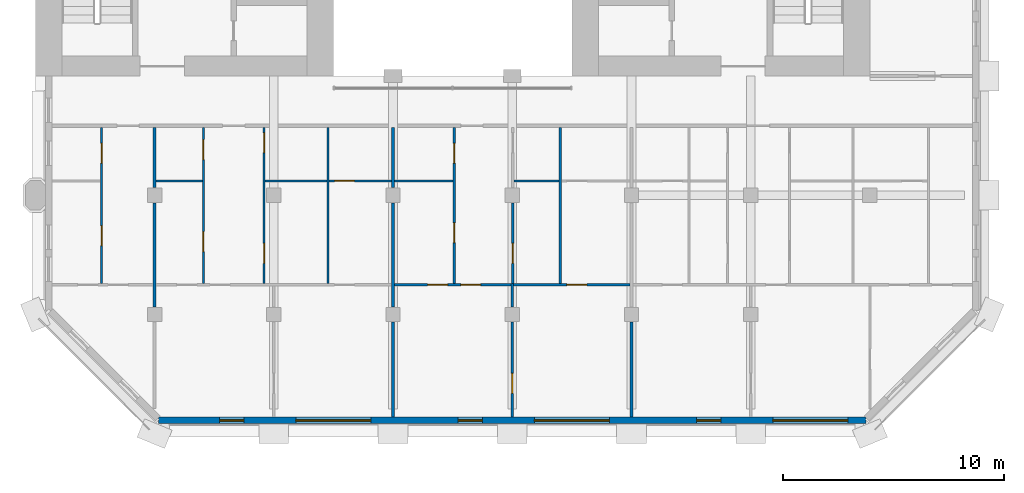
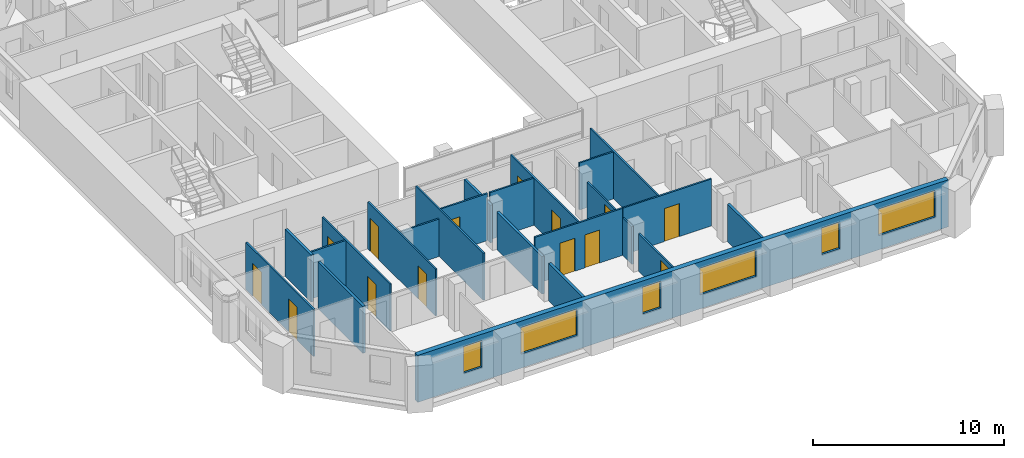
# One storey, part 8 of 16: 23 walls, 14 doors, 6 windows, 20 openings.
"""IFC4 building model written with IfcOpenShell, lengths in metres."""

from ifc_helpers import new_model, si_unit, direction, frame, frame_2d, origin, place, context, subcontext, project, spatial, rectangle, extrude, material, layer, layer_set, type_object, element, fill, save


model = new_model("IFC4")

# Units and contexts
model_context = context("Model", 3, precision=1e-05, world=origin(), true_north=direction((0.0, 1.0)))
body_context = subcontext(model_context, "Body", "Model", "MODEL_VIEW")
ifc_project = project(units=[si_unit("LENGTHUNIT", "METRE"), si_unit("AREAUNIT", "SQUARE_METRE"), si_unit("VOLUMEUNIT", "CUBIC_METRE"), si_unit("PLANEANGLEUNIT", "RADIAN"), si_unit("MASSUNIT", "GRAM", prefix="KILO")], contexts=[model_context])

# Site, building, storey
site_placement = place(None, origin())
site = spatial("IfcSite", under=ifc_project, at=site_placement, CompositionType="ELEMENT")
building_placement = place(site_placement, origin())
building = spatial("IfcBuilding", under=site, at=building_placement, Name="Tabaq Tower and Sports Hall", CompositionType="ELEMENT")
storey_placement = place(building_placement, frame((0.0, 0.0, 268.60009765625)))
storey = spatial("IfcBuildingStorey", under=building, at=storey_placement, Name="L65", CompositionType="ELEMENT", Elevation=268.60009765625)

# Wall, openings, doors
ifc_material_1 = material(Name="Gypsum board on steel studs", Category="steel")
ifc_layer_1 = layer(ifc_material_1, 0.10009765625)
ifc_layer_set_1 = layer_set([ifc_layer_1], Name="Partition 100 Gypsum board")
wall_type_1 = type_object("IfcWallType", Name="Partition 100 Gypsum board", PredefinedType="PARTITIONING", material=ifc_layer_set_1)
wall_1_placement = place(storey_placement, frame((8.39990234375, 6.800048828125, 0.0), z_axis=(0.0, 0.0, 1.0), x_axis=(0.0, 1.0, 0.0)))
wall_1 = element("IfcWall", 1, at=wall_1_placement, inside=storey, type_object=wall_type_1, Name="Partition wall L65", PredefinedType="PARTITIONING", context=body_context, shape_type="SweptSolid", body=[
    extrude(rectangle(XDim=7.074951171875, YDim=0.10009765625, at=frame_2d((3.53759765625, 0.0))), origin(), (0.0, 0.0, 1.0), 3.0),
])
opening_1_placement = place(wall_1_placement, frame((5.449951171875, 0.0, 0.0)))
opening_1 = element("IfcOpeningElement", 2, at=opening_1_placement, cuts=wall_1, Name="Opening L65-014", PredefinedType="OPENING", context=body_context, shape_type="SweptSolid", body=[
    extrude(rectangle(XDim=0.89990234375, YDim=2.10009765625, at=frame_2d((0.449951171875, 1.050048828125))), frame((0.0, 0.050048828125, 0.0), z_axis=(0.0, -1.0, 0.0), x_axis=(1.0, 0.0, 0.0)), (0.0, 0.0, 1.0), 0.10009765625),
])
opening_2_placement = place(wall_1_placement, frame((1.717041015625, 0.0, 0.0)))
opening_2 = element("IfcOpeningElement", 3, at=opening_2_placement, cuts=wall_1, Name="Opening L65-038", PredefinedType="OPENING", context=body_context, shape_type="SweptSolid", body=[
    extrude(rectangle(XDim=0.89990234375, YDim=2.10009765625, at=frame_2d((0.449951171875, 1.050048828125))), frame((0.0, 0.050048828125, 0.0), z_axis=(0.0, -1.0, 0.0), x_axis=(1.0, 0.0, 0.0)), (0.0, 0.0, 1.0), 0.10009765625),
])
ifc_material_2 = material(Name="Timber leaf in steel frame", Category="steel")
door_type_1 = type_object("IfcDoorType", Name="Internal door 900 left hand", OperationType="SINGLE_SWING_LEFT", PredefinedType="DOOR", material=ifc_material_2)
door_1_placement = place(opening_2_placement, origin())
door_1 = element("IfcDoor", 4, at=door_1_placement, inside=storey, type_object=door_type_1, Name="Internal door L65-038", OperationType="SINGLE_SWING_LEFT", OverallHeight=2.10009765625, OverallWidth=0.89990234375, PredefinedType="DOOR", context=body_context, shape_type="SweptSolid", body=[
    extrude(rectangle(XDim=0.89990234375, YDim=2.10009765625, at=frame_2d((0.449951171875, 1.050048828125))), frame((0.0, 0.02490234375, 0.0), z_axis=(0.0, -1.0, 0.0), x_axis=(1.0, 0.0, 0.0)), (0.0, 0.0, 1.0), 0.050048828125),
])
fill(opening_2, door_1)
ifc_material_3 = material(Name="Timber leaf in steel frame", Category="steel")
door_type_2 = type_object("IfcDoorType", Name="Internal door 900 right hand", OperationType="SINGLE_SWING_RIGHT", PredefinedType="DOOR", material=ifc_material_3)
door_2_placement = place(opening_1_placement, origin())
door_2 = element("IfcDoor", 5, at=door_2_placement, inside=storey, type_object=door_type_2, Name="Internal door L65-014", OperationType="SINGLE_SWING_RIGHT", OverallHeight=2.10009765625, OverallWidth=0.89990234375, PredefinedType="DOOR", context=body_context, shape_type="SweptSolid", body=[
    extrude(rectangle(XDim=0.89990234375, YDim=2.10009765625, at=frame_2d((0.449951171875, 1.050048828125))), frame((0.0, 0.02490234375, 0.0), z_axis=(0.0, -1.0, 0.0), x_axis=(1.0, 0.0, 0.0)), (0.0, 0.0, 1.0), 0.050048828125),
])
fill(opening_1, door_2)

# Wall
wall_2_placement = place(storey_placement, frame((12.9619140625, 11.449951171875, 0.0), z_axis=(0.0, 0.0, 1.0), x_axis=(-1.0, 0.0, 0.0)))
element("IfcWall", 6, at=wall_2_placement, inside=storey, type_object=wall_type_1, Name="Partition wall L65", PredefinedType="PARTITIONING", context=body_context, shape_type="SweptSolid", body=[
    extrude(rectangle(XDim=2.0869140625, YDim=0.10009765625, at=frame_2d((1.04345703125, 0.0))), origin(), (0.0, 0.0, 1.0), 3.0),
])

# Wall, openings, doors
wall_3_placement = place(storey_placement, frame((13.011962890625, 6.800048828125, 0.0), z_axis=(0.0, 0.0, 1.0), x_axis=(0.0, 1.0, 0.0)))
wall_3 = element("IfcWall", 7, at=wall_3_placement, inside=storey, type_object=wall_type_1, Name="Partition wall L65", PredefinedType="PARTITIONING", context=body_context, shape_type="SweptSolid", body=[
    extrude(rectangle(XDim=7.074951171875, YDim=0.10009765625, at=frame_2d((3.53759765625, 0.0))), origin(), (0.0, 0.0, 1.0), 3.0),
])
opening_3_placement = place(wall_3_placement, frame((5.616943359375, 0.0, 0.0)))
opening_3 = element("IfcOpeningElement", 8, at=opening_3_placement, cuts=wall_3, Name="Opening L65-015", PredefinedType="OPENING", context=body_context, shape_type="SweptSolid", body=[
    extrude(rectangle(XDim=0.89990234375, YDim=2.10009765625, at=frame_2d((0.449951171875, 1.050048828125))), frame((0.0, 0.050048828125, 0.0), z_axis=(0.0, -1.0, 0.0), x_axis=(1.0, 0.0, 0.0)), (0.0, 0.0, 1.0), 0.10009765625),
])
opening_4_placement = place(wall_3_placement, frame((1.449951171875, 0.0, 0.0)))
opening_4 = element("IfcOpeningElement", 9, at=opening_4_placement, cuts=wall_3, Name="Opening L65-042", PredefinedType="OPENING", context=body_context, shape_type="SweptSolid", body=[
    extrude(rectangle(XDim=0.89990234375, YDim=2.10009765625, at=frame_2d((0.449951171875, 1.050048828125))), frame((0.0, 0.050048828125, 0.0), z_axis=(0.0, -1.0, 0.0), x_axis=(1.0, 0.0, 0.0)), (0.0, 0.0, 1.0), 0.10009765625),
])
door_3_placement = place(opening_3_placement, origin())
door_3 = element("IfcDoor", 10, at=door_3_placement, inside=storey, type_object=door_type_1, Name="Internal door L65-015", OperationType="SINGLE_SWING_LEFT", OverallHeight=2.10009765625, OverallWidth=0.89990234375, PredefinedType="DOOR", context=body_context, shape_type="SweptSolid", body=[
    extrude(rectangle(XDim=0.89990234375, YDim=2.10009765625, at=frame_2d((0.449951171875, 1.050048828125))), frame((0.0, 0.02490234375, 0.0), z_axis=(0.0, -1.0, 0.0), x_axis=(1.0, 0.0, 0.0)), (0.0, 0.0, 1.0), 0.050048828125),
])
fill(opening_3, door_3)
door_4_placement = place(opening_4_placement, origin())
door_4 = element("IfcDoor", 11, at=door_4_placement, inside=storey, type_object=door_type_2, Name="Internal door L65-042", OperationType="SINGLE_SWING_RIGHT", OverallHeight=2.10009765625, OverallWidth=0.89990234375, PredefinedType="DOOR", context=body_context, shape_type="SweptSolid", body=[
    extrude(rectangle(XDim=0.89990234375, YDim=2.10009765625, at=frame_2d((0.449951171875, 1.050048828125))), frame((0.0, 0.02490234375, 0.0), z_axis=(0.0, -1.0, 0.0), x_axis=(1.0, 0.0, 0.0)), (0.0, 0.0, 1.0), 0.050048828125),
])
fill(opening_4, door_4)

wall_4_placement = place(storey_placement, frame((15.761962890625, 6.800048828125, 0.0), z_axis=(0.0, 0.0, 1.0), x_axis=(0.0, 1.0, 0.0)))
wall_4 = element("IfcWall", 12, at=wall_4_placement, inside=storey, type_object=wall_type_1, Name="Partition wall L65", PredefinedType="PARTITIONING", context=body_context, shape_type="SweptSolid", body=[
    extrude(rectangle(XDim=7.074951171875, YDim=0.10009765625, at=frame_2d((3.53759765625, 0.0))), origin(), (0.0, 0.0, 1.0), 3.0),
])
opening_5_placement = place(wall_4_placement, frame((0.9169921875, 0.0, 0.0)))
opening_5 = element("IfcOpeningElement", 13, at=opening_5_placement, cuts=wall_4, Name="Opening L65-016", PredefinedType="OPENING", context=body_context, shape_type="SweptSolid", body=[
    extrude(rectangle(XDim=0.89990234375, YDim=2.10009765625, at=frame_2d((0.449951171875, 1.050048828125))), frame((0.0, 0.050048828125, 0.0), z_axis=(0.0, -1.0, 0.0), x_axis=(1.0, 0.0, 0.0)), (0.0, 0.0, 1.0), 0.10009765625),
])
opening_6_placement = place(wall_4_placement, frame((5.925048828125, 0.0, 0.0)))
opening_6 = element("IfcOpeningElement", 14, at=opening_6_placement, cuts=wall_4, Name="Opening L65-017", PredefinedType="OPENING", context=body_context, shape_type="SweptSolid", body=[
    extrude(rectangle(XDim=0.89990234375, YDim=2.10009765625, at=frame_2d((0.449951171875, 1.050048828125))), frame((0.0, 0.050048828125, 0.0), z_axis=(0.0, -1.0, 0.0), x_axis=(1.0, 0.0, 0.0)), (0.0, 0.0, 1.0), 0.10009765625),
])
door_5_placement = place(opening_5_placement, origin())
door_5 = element("IfcDoor", 15, at=door_5_placement, inside=storey, type_object=door_type_2, Name="Internal door L65-016", OperationType="SINGLE_SWING_RIGHT", OverallHeight=2.10009765625, OverallWidth=0.89990234375, PredefinedType="DOOR", context=body_context, shape_type="SweptSolid", body=[
    extrude(rectangle(XDim=0.89990234375, YDim=2.10009765625, at=frame_2d((0.449951171875, 1.050048828125))), frame((0.0, 0.02490234375, 0.0), z_axis=(0.0, -1.0, 0.0), x_axis=(1.0, 0.0, 0.0)), (0.0, 0.0, 1.0), 0.050048828125),
])
fill(opening_5, door_5)
door_6_placement = place(opening_6_placement, origin())
door_6 = element("IfcDoor", 16, at=door_6_placement, inside=storey, type_object=door_type_2, Name="Internal door L65-017", OperationType="SINGLE_SWING_RIGHT", OverallHeight=2.10009765625, OverallWidth=0.89990234375, PredefinedType="DOOR", context=body_context, shape_type="SweptSolid", body=[
    extrude(rectangle(XDim=0.89990234375, YDim=2.10009765625, at=frame_2d((0.449951171875, 1.050048828125))), frame((0.0, 0.02490234375, 0.0), z_axis=(0.0, -1.0, 0.0), x_axis=(1.0, 0.0, 0.0)), (0.0, 0.0, 1.0), 0.050048828125),
])
fill(opening_6, door_6)

# Walls
wall_5_placement = place(storey_placement, frame((18.60009765625, 11.449951171875, 0.0), z_axis=(0.0, 0.0, 1.0), x_axis=(-1.0, 0.0, 0.0)))
element("IfcWall", 17, at=wall_5_placement, inside=storey, type_object=wall_type_1, Name="Partition wall L65", PredefinedType="PARTITIONING", context=body_context, shape_type="SweptSolid", body=[
    extrude(rectangle(XDim=2.7880859375, YDim=0.10009765625, at=frame_2d((1.39404296875, 0.0))), origin(), (0.0, 0.0, 1.0), 2.39990234375),
])
wall_6_placement = place(storey_placement, frame((18.64990234375, 6.800048828125, 0.0), z_axis=(0.0, 0.0, 1.0), x_axis=(0.0, 1.0, 0.0)))
element("IfcWall", 18, at=wall_6_placement, inside=storey, type_object=wall_type_1, Name="Partition wall L65", PredefinedType="PARTITIONING", context=body_context, shape_type="SweptSolid", body=[
    extrude(rectangle(XDim=7.074951171875, YDim=0.10009765625, at=frame_2d((3.53759765625, 0.0))), origin(), (0.0, 0.0, 1.0), 3.0),
])

# Wall, opening, door
wall_7_placement = place(storey_placement, frame((21.52490234375, 11.449951171875, 0.0), z_axis=(0.0, 0.0, 1.0), x_axis=(-1.0, 0.0, 0.0)))
wall_7 = element("IfcWall", 19, at=wall_7_placement, inside=storey, type_object=wall_type_1, Name="Partition wall L65", PredefinedType="PARTITIONING", context=body_context, shape_type="SweptSolid", body=[
    extrude(rectangle(XDim=2.824951171875, YDim=0.10009765625, at=frame_2d((1.41259765625, 0.0))), origin(), (0.0, 0.0, 1.0), 3.0),
])
opening_7_placement = place(wall_7_placement, frame((1.675048828125, 0.0, 0.0)))
opening_7 = element("IfcOpeningElement", 20, at=opening_7_placement, cuts=wall_7, Name="Opening L65-018", PredefinedType="OPENING", context=body_context, shape_type="SweptSolid", body=[
    extrude(rectangle(XDim=0.89990234375, YDim=2.10009765625, at=frame_2d((0.449951171875, 1.050048828125))), frame((0.0, 0.050048828125, 0.0), z_axis=(0.0, -1.0, 0.0), x_axis=(1.0, 0.0, 0.0)), (0.0, 0.0, 1.0), 0.10009765625),
])
door_7_placement = place(opening_7_placement, origin())
door_7 = element("IfcDoor", 21, at=door_7_placement, inside=storey, type_object=door_type_2, Name="Internal door L65-018", OperationType="SINGLE_SWING_RIGHT", OverallHeight=2.10009765625, OverallWidth=0.89990234375, PredefinedType="DOOR", context=body_context, shape_type="SweptSolid", body=[
    extrude(rectangle(XDim=0.89990234375, YDim=2.10009765625, at=frame_2d((0.449951171875, 1.050048828125))), frame((0.0, 0.02490234375, 0.0), z_axis=(0.0, -1.0, 0.0), x_axis=(1.0, 0.0, 0.0)), (0.0, 0.0, 1.0), 0.050048828125),
])
fill(opening_7, door_7)

wall_8_placement = place(storey_placement, frame((27.0, 0.7509765625, 0.0), z_axis=(0.0, 0.0, 1.0), x_axis=(0.0, 1.0, 0.0)))
wall_8 = element("IfcWall", 22, at=wall_8_placement, inside=storey, type_object=wall_type_1, Name="Partition wall L65", PredefinedType="PARTITIONING", context=body_context, shape_type="SweptSolid", body=[
    extrude(rectangle(XDim=4.303955078125, YDim=0.10009765625, at=frame_2d((2.15185546875, 0.0))), origin(), (0.0, 0.0, 1.0), 2.39990234375),
])
opening_8_placement = place(wall_8_placement, frame((1.080078125, 0.0, 0.0)))
opening_8 = element("IfcOpeningElement", 23, at=opening_8_placement, cuts=wall_8, Name="Opening L65-043", PredefinedType="OPENING", context=body_context, shape_type="SweptSolid", body=[
    extrude(rectangle(XDim=0.89990234375, YDim=2.10009765625, at=frame_2d((0.449951171875, 1.050048828125))), frame((0.0, 0.050048828125, 0.0), z_axis=(0.0, -1.0, 0.0), x_axis=(1.0, 0.0, 0.0)), (0.0, 0.0, 1.0), 0.10009765625),
])
door_8_placement = place(opening_8_placement, origin())
door_8 = element("IfcDoor", 24, at=door_8_placement, inside=storey, type_object=door_type_1, Name="Internal door L65-043", OperationType="SINGLE_SWING_LEFT", OverallHeight=2.10009765625, OverallWidth=0.89990234375, PredefinedType="DOOR", context=body_context, shape_type="SweptSolid", body=[
    extrude(rectangle(XDim=0.89990234375, YDim=2.10009765625, at=frame_2d((0.449951171875, 1.050048828125))), frame((0.0, 0.02490234375, 0.0), z_axis=(0.0, -1.0, 0.0), x_axis=(1.0, 0.0, 0.0)), (0.0, 0.0, 1.0), 0.050048828125),
])
fill(opening_8, door_8)

# Wall
wall_9_placement = place(storey_placement, frame((27.0, 5.7451171875, 0.0), z_axis=(0.0, 0.0, 1.0), x_axis=(0.0, 1.0, 0.0)))
element("IfcWall", 25, at=wall_9_placement, inside=storey, type_object=wall_type_1, Name="Partition wall L65", PredefinedType="PARTITIONING", context=body_context, shape_type="SweptSolid", body=[
    extrude(rectangle(XDim=1.054931640625, YDim=0.10009765625, at=frame_2d((0.52734375, 0.0))), origin(), (0.0, 0.0, 1.0), 2.39990234375),
])

# Wall, openings, doors
wall_10_placement = place(storey_placement, frame((26.949951171875, 6.75, 0.0), z_axis=(0.0, 0.0, 1.0), x_axis=(-1.0, 0.0, 0.0)))
wall_10 = element("IfcWall", 26, at=wall_10_placement, inside=storey, type_object=wall_type_1, Name="Partition wall L65", PredefinedType="PARTITIONING", context=body_context, shape_type="SweptSolid", body=[
    extrude(rectangle(XDim=5.27490234375, YDim=0.10009765625, at=frame_2d((2.637451171875, 0.0))), origin(), (0.0, 0.0, 1.0), 3.0),
])
opening_9_placement = place(wall_10_placement, frame((2.8798828125, 0.0, 0.0)))
opening_9 = element("IfcOpeningElement", 27, at=opening_9_placement, cuts=wall_10, Name="Opening L65-044", PredefinedType="OPENING", context=body_context, shape_type="SweptSolid", body=[
    extrude(rectangle(XDim=0.89990234375, YDim=2.10009765625, at=frame_2d((0.449951171875, 1.050048828125))), frame((0.0, 0.050048828125, 0.0), z_axis=(0.0, -1.0, 0.0), x_axis=(1.0, 0.0, 0.0)), (0.0, 0.0, 1.0), 0.10009765625),
])
opening_10_placement = place(wall_10_placement, frame((1.3798828125, 0.0, 0.0)))
opening_10 = element("IfcOpeningElement", 28, at=opening_10_placement, cuts=wall_10, Name="Opening L65-056", PredefinedType="OPENING", context=body_context, shape_type="SweptSolid", body=[
    extrude(rectangle(XDim=0.89990234375, YDim=2.10009765625, at=frame_2d((0.449951171875, 1.050048828125))), frame((0.0, 0.050048828125, 0.0), z_axis=(0.0, -1.0, 0.0), x_axis=(1.0, 0.0, 0.0)), (0.0, 0.0, 1.0), 0.10009765625),
])
door_9_placement = place(opening_9_placement, origin())
door_9 = element("IfcDoor", 29, at=door_9_placement, inside=storey, type_object=door_type_1, Name="Internal door L65-044", OperationType="SINGLE_SWING_LEFT", OverallHeight=2.10009765625, OverallWidth=0.89990234375, PredefinedType="DOOR", context=body_context, shape_type="SweptSolid", body=[
    extrude(rectangle(XDim=0.89990234375, YDim=2.10009765625, at=frame_2d((0.449951171875, 1.050048828125))), frame((0.0, 0.02490234375, 0.0), z_axis=(0.0, -1.0, 0.0), x_axis=(1.0, 0.0, 0.0)), (0.0, 0.0, 1.0), 0.050048828125),
])
fill(opening_9, door_9)
door_10_placement = place(opening_10_placement, origin())
door_10 = element("IfcDoor", 30, at=door_10_placement, inside=storey, type_object=door_type_2, Name="Internal door L65-056", OperationType="SINGLE_SWING_RIGHT", OverallHeight=2.10009765625, OverallWidth=0.89990234375, PredefinedType="DOOR", context=body_context, shape_type="SweptSolid", body=[
    extrude(rectangle(XDim=0.89990234375, YDim=2.10009765625, at=frame_2d((0.449951171875, 1.050048828125))), frame((0.0, 0.02490234375, 0.0), z_axis=(0.0, -1.0, 0.0), x_axis=(1.0, 0.0, 0.0)), (0.0, 0.0, 1.0), 0.050048828125),
])
fill(opening_10, door_10)

# Wall, opening, door
wall_11_placement = place(storey_placement, frame((32.324951171875, 6.75, 0.0), z_axis=(0.0, 0.0, 1.0), x_axis=(-1.0, 0.0, 0.0)))
wall_11 = element("IfcWall", 31, at=wall_11_placement, inside=storey, type_object=wall_type_1, Name="Partition wall L65", PredefinedType="PARTITIONING", context=body_context, shape_type="SweptSolid", body=[
    extrude(rectangle(XDim=5.35498046875, YDim=0.10009765625, at=frame_2d((2.677490234375, 0.0))), origin(), (0.0, 0.0, 1.0), 3.0),
])
opening_11_placement = place(wall_11_placement, frame((1.948974609375, 0.0, 0.0)))
opening_11 = element("IfcOpeningElement", 32, at=opening_11_placement, cuts=wall_11, Name="Opening L65-045", PredefinedType="OPENING", context=body_context, shape_type="SweptSolid", body=[
    extrude(rectangle(XDim=0.89990234375, YDim=2.10009765625, at=frame_2d((0.449951171875, 1.050048828125))), frame((0.0, 0.050048828125, 0.0), z_axis=(0.0, -1.0, 0.0), x_axis=(1.0, 0.0, 0.0)), (0.0, 0.0, 1.0), 0.10009765625),
])
door_11_placement = place(opening_11_placement, origin())
door_11 = element("IfcDoor", 33, at=door_11_placement, inside=storey, type_object=door_type_2, Name="Internal door L65-045", OperationType="SINGLE_SWING_RIGHT", OverallHeight=2.10009765625, OverallWidth=0.89990234375, PredefinedType="DOOR", context=body_context, shape_type="SweptSolid", body=[
    extrude(rectangle(XDim=0.89990234375, YDim=2.10009765625, at=frame_2d((0.449951171875, 1.050048828125))), frame((0.0, 0.02490234375, 0.0), z_axis=(0.0, -1.0, 0.0), x_axis=(1.0, 0.0, 0.0)), (0.0, 0.0, 1.0), 0.050048828125),
])
fill(opening_11, door_11)

# Wall
wall_12_placement = place(storey_placement, frame((24.320068359375, 11.449951171875, 0.0), z_axis=(0.0, 0.0, 1.0), x_axis=(-1.0, 0.0, 0.0)))
element("IfcWall", 34, at=wall_12_placement, inside=storey, type_object=wall_type_1, Name="Partition wall L65", PredefinedType="PARTITIONING", context=body_context, shape_type="SweptSolid", body=[
    extrude(rectangle(XDim=2.64501953125, YDim=0.10009765625, at=frame_2d((1.322509765625, 0.0))), origin(), (0.0, 0.0, 1.0), 3.0),
])

# Wall, openings, doors
wall_13_placement = place(storey_placement, frame((24.3701171875, 6.800048828125, 0.0), z_axis=(0.0, 0.0, 1.0), x_axis=(0.0, 1.0, 0.0)))
wall_13 = element("IfcWall", 35, at=wall_13_placement, inside=storey, type_object=wall_type_1, Name="Partition wall L65", PredefinedType="PARTITIONING", context=body_context, shape_type="SweptSolid", body=[
    extrude(rectangle(XDim=7.074951171875, YDim=0.10009765625, at=frame_2d((3.53759765625, 0.0))), origin(), (0.0, 0.0, 1.0), 3.0),
])
opening_12_placement = place(wall_13_placement, frame((5.449951171875, 0.0, 0.0)))
opening_12 = element("IfcOpeningElement", 36, at=opening_12_placement, cuts=wall_13, Name="Opening L65-019", PredefinedType="OPENING", context=body_context, shape_type="SweptSolid", body=[
    extrude(rectangle(XDim=0.89990234375, YDim=2.10009765625, at=frame_2d((0.449951171875, 1.050048828125))), frame((0.0, 0.050048828125, 0.0), z_axis=(0.0, -1.0, 0.0), x_axis=(1.0, 0.0, 0.0)), (0.0, 0.0, 1.0), 0.10009765625),
])
opening_13_placement = place(wall_13_placement, frame((1.85009765625, 0.0, 0.0)))
opening_13 = element("IfcOpeningElement", 37, at=opening_13_placement, cuts=wall_13, Name="Opening L65-046", PredefinedType="OPENING", context=body_context, shape_type="SweptSolid", body=[
    extrude(rectangle(XDim=0.89990234375, YDim=2.10009765625, at=frame_2d((0.449951171875, 1.050048828125))), frame((0.0, 0.050048828125, 0.0), z_axis=(0.0, -1.0, 0.0), x_axis=(1.0, 0.0, 0.0)), (0.0, 0.0, 1.0), 0.10009765625),
])
door_12_placement = place(opening_13_placement, origin())
door_12 = element("IfcDoor", 38, at=door_12_placement, inside=storey, type_object=door_type_1, Name="Internal door L65-046", OperationType="SINGLE_SWING_LEFT", OverallHeight=2.10009765625, OverallWidth=0.89990234375, PredefinedType="DOOR", context=body_context, shape_type="SweptSolid", body=[
    extrude(rectangle(XDim=0.89990234375, YDim=2.10009765625, at=frame_2d((0.449951171875, 1.050048828125))), frame((0.0, 0.02490234375, 0.0), z_axis=(0.0, -1.0, 0.0), x_axis=(1.0, 0.0, 0.0)), (0.0, 0.0, 1.0), 0.050048828125),
])
fill(opening_13, door_12)
door_13_placement = place(opening_12_placement, origin())
door_13 = element("IfcDoor", 39, at=door_13_placement, inside=storey, type_object=door_type_2, Name="Internal door L65-019", OperationType="SINGLE_SWING_RIGHT", OverallHeight=2.10009765625, OverallWidth=0.89990234375, PredefinedType="DOOR", context=body_context, shape_type="SweptSolid", body=[
    extrude(rectangle(XDim=0.89990234375, YDim=2.10009765625, at=frame_2d((0.449951171875, 1.050048828125))), frame((0.0, 0.02490234375, 0.0), z_axis=(0.0, -1.0, 0.0), x_axis=(1.0, 0.0, 0.0)), (0.0, 0.0, 1.0), 0.050048828125),
])
fill(opening_12, door_13)

# Wall, opening, door
wall_14_placement = place(storey_placement, frame((27.02001953125, 6.800048828125, 0.0), z_axis=(0.0, 0.0, 1.0), x_axis=(0.0, 1.0, 0.0)))
wall_14 = element("IfcWall", 40, at=wall_14_placement, inside=storey, type_object=wall_type_1, Name="Partition wall L65", PredefinedType="PARTITIONING", context=body_context, shape_type="SweptSolid", body=[
    extrude(rectangle(XDim=3.655029296875, YDim=0.10009765625, at=frame_2d((1.82763671875, 0.0))), origin(), (0.0, 0.0, 1.0), 2.39990234375),
])
opening_14_placement = place(wall_14_placement, frame((0.9169921875, 0.0, 0.0)))
opening_14 = element("IfcOpeningElement", 41, at=opening_14_placement, cuts=wall_14, Name="Opening L65-020", PredefinedType="OPENING", context=body_context, shape_type="SweptSolid", body=[
    extrude(rectangle(XDim=0.89990234375, YDim=2.10009765625, at=frame_2d((0.449951171875, 1.050048828125))), frame((0.0, 0.050048828125, 0.0), z_axis=(0.0, -1.0, 0.0), x_axis=(1.0, 0.0, 0.0)), (0.0, 0.0, 1.0), 0.10009765625),
])
door_14_placement = place(opening_14_placement, origin())
door_14 = element("IfcDoor", 42, at=door_14_placement, inside=storey, type_object=door_type_1, Name="Internal door L65-020", OperationType="SINGLE_SWING_LEFT", OverallHeight=2.10009765625, OverallWidth=0.89990234375, PredefinedType="DOOR", context=body_context, shape_type="SweptSolid", body=[
    extrude(rectangle(XDim=0.89990234375, YDim=2.10009765625, at=frame_2d((0.449951171875, 1.050048828125))), frame((0.0, 0.02490234375, 0.0), z_axis=(0.0, -1.0, 0.0), x_axis=(1.0, 0.0, 0.0)), (0.0, 0.0, 1.0), 0.050048828125),
])
fill(opening_14, door_14)

# Walls
wall_15_placement = place(storey_placement, frame((29.1259765625, 11.449951171875, 0.0), z_axis=(0.0, 0.0, 1.0), x_axis=(-1.0, 0.0, 0.0)))
element("IfcWall", 43, at=wall_15_placement, inside=storey, type_object=wall_type_1, Name="Partition wall L65", PredefinedType="PARTITIONING", context=body_context, shape_type="SweptSolid", body=[
    extrude(rectangle(XDim=2.055908203125, YDim=0.10009765625, at=frame_2d((1.02783203125, 0.0))), origin(), (0.0, 0.0, 1.0), 3.0),
])
wall_16_placement = place(storey_placement, frame((29.176025390625, 6.800048828125, 0.0), z_axis=(0.0, 0.0, 1.0), x_axis=(0.0, 1.0, 0.0)))
element("IfcWall", 44, at=wall_16_placement, inside=storey, type_object=wall_type_1, Name="Partition wall L65", PredefinedType="PARTITIONING", context=body_context, shape_type="SweptSolid", body=[
    extrude(rectangle(XDim=7.074951171875, YDim=0.10009765625, at=frame_2d((3.53759765625, 0.0))), origin(), (0.0, 0.0, 1.0), 3.0),
])
ifc_material_4 = material(Name="Blockwork", Category="masonry")
ifc_layer_2 = layer(ifc_material_4, 0.14990234375)
ifc_layer_set_2 = layer_set([ifc_layer_2], Name="Separating wall 150 Blockwork")
wall_type_2 = type_object("IfcWallType", Name="Separating wall 150 Blockwork", PredefinedType="PARTITIONING", material=ifc_layer_set_2)
wall_17_placement = place(storey_placement, frame((10.800048828125, 5.7451171875, 0.0), z_axis=(0.0, 0.0, 1.0), x_axis=(0.0, 1.0, 0.0)))
element("IfcWall", 45, at=wall_17_placement, inside=storey, type_object=wall_type_2, Name="Separating wall L65", PredefinedType="PARTITIONING", context=body_context, shape_type="SweptSolid", body=[
    extrude(rectangle(XDim=4.7099609375, YDim=0.14990234375, at=frame_2d((2.35498046875, 0.0))), origin(), (0.0, 0.0, 1.0), 3.0),
])
wall_18_placement = place(storey_placement, frame((10.800048828125, 11.14501953125, 0.0), z_axis=(0.0, 0.0, 1.0), x_axis=(0.0, 1.0, 0.0)))
element("IfcWall", 46, at=wall_18_placement, inside=storey, type_object=wall_type_2, Name="Separating wall L65", PredefinedType="PARTITIONING", context=body_context, shape_type="SweptSolid", body=[
    extrude(rectangle(XDim=2.72998046875, YDim=0.14990234375, at=frame_2d((1.364990234375, 0.0))), origin(), (0.0, 0.0, 1.0), 3.0),
])
wall_19_placement = place(storey_placement, frame((21.60009765625, 0.7509765625, 0.0), z_axis=(0.0, 0.0, 1.0), x_axis=(0.0, 1.0, 0.0)))
element("IfcWall", 47, at=wall_19_placement, inside=storey, type_object=wall_type_2, Name="Separating wall L65", PredefinedType="PARTITIONING", context=body_context, shape_type="SweptSolid", body=[
    extrude(rectangle(XDim=4.303955078125, YDim=0.14990234375, at=frame_2d((2.15185546875, 0.0))), origin(), (0.0, 0.0, 1.0), 2.39990234375),
])
wall_20_placement = place(storey_placement, frame((21.60009765625, 5.7451171875, 0.0), z_axis=(0.0, 0.0, 1.0), x_axis=(0.0, 1.0, 0.0)))
element("IfcWall", 48, at=wall_20_placement, inside=storey, type_object=wall_type_2, Name="Separating wall L65", PredefinedType="PARTITIONING", context=body_context, shape_type="SweptSolid", body=[
    extrude(rectangle(XDim=4.7099609375, YDim=0.14990234375, at=frame_2d((2.35498046875, 0.0))), origin(), (0.0, 0.0, 1.0), 2.39990234375),
])
wall_21_placement = place(storey_placement, frame((21.60009765625, 11.14501953125, 0.0), z_axis=(0.0, 0.0, 1.0), x_axis=(0.0, 1.0, 0.0)))
element("IfcWall", 49, at=wall_21_placement, inside=storey, type_object=wall_type_2, Name="Separating wall L65", PredefinedType="PARTITIONING", context=body_context, shape_type="SweptSolid", body=[
    extrude(rectangle(XDim=2.72998046875, YDim=0.14990234375, at=frame_2d((1.364990234375, 0.0))), origin(), (0.0, 0.0, 1.0), 2.39990234375),
])
wall_22_placement = place(storey_placement, frame((32.39990234375, 0.7509765625, 0.0), z_axis=(0.0, 0.0, 1.0), x_axis=(0.0, 1.0, 0.0)))
element("IfcWall", 50, at=wall_22_placement, inside=storey, type_object=wall_type_2, Name="Separating wall L65", PredefinedType="PARTITIONING", context=body_context, shape_type="SweptSolid", body=[
    extrude(rectangle(XDim=4.303955078125, YDim=0.14990234375, at=frame_2d((2.15185546875, 0.0))), origin(), (0.0, 0.0, 1.0), 2.39990234375),
])

# Wall, openings, windows
ifc_material_5 = material(Name="White precast concrete C60/75", Category="concrete")
ifc_layer_3 = layer(ifc_material_5, 0.300048828125)
ifc_layer_set_3 = layer_set([ifc_layer_3], Name="White precast concrete C60/75 external wall 300")
wall_type_3 = type_object("IfcWallType", Name="White precast concrete C60/75 external wall 300", PredefinedType="SOLIDWALL", material=ifc_layer_set_3)
wall_23_placement = place(storey_placement, frame((10.986328125, 0.60009765625, 0.0), z_axis=(0.0, 0.0, 1.0), x_axis=(1.0, 0.0, 0.0)))
wall_23 = element("IfcWall", 51, at=wall_23_placement, inside=storey, type_object=wall_type_3, Name="External Wall L65 S", PredefinedType="SOLIDWALL", context=body_context, shape_type="SweptSolid", body=[
    extrude(rectangle(XDim=32.02734375, YDim=0.300048828125, at=frame_2d((16.013671875, 0.0))), origin(), (0.0, 0.0, 1.0), 3.0),
])
opening_15_placement = place(wall_23_placement, frame((2.763671875, 0.0, 0.89990234375)))
opening_15 = element("IfcOpeningElement", 52, at=opening_15_placement, cuts=wall_23, Name="Opening W1B", PredefinedType="OPENING", context=body_context, shape_type="SweptSolid", body=[
    extrude(rectangle(XDim=1.10009765625, YDim=1.699951171875, at=frame_2d((0.550048828125, 0.85009765625))), frame((0.0, 0.16015625, 0.0), z_axis=(0.0, -1.0, 0.0), x_axis=(1.0, 0.0, 0.0)), (0.0, 0.0, 1.0), 0.320068359375),
])
opening_16_placement = place(wall_23_placement, frame((6.213623046875, 0.0, 0.89990234375)))
opening_16 = element("IfcOpeningElement", 53, at=opening_16_placement, cuts=wall_23, Name="Opening W1A", PredefinedType="OPENING", context=body_context, shape_type="SweptSolid", body=[
    extrude(rectangle(XDim=3.39990234375, YDim=1.699951171875, at=frame_2d((1.699951171875, 0.85009765625))), frame((0.0, 0.16015625, 0.0), z_axis=(0.0, -1.0, 0.0), x_axis=(1.0, 0.0, 0.0)), (0.0, 0.0, 1.0), 0.320068359375),
])
opening_17_placement = place(wall_23_placement, frame((13.563720703125, 0.0, 0.89990234375)))
opening_17 = element("IfcOpeningElement", 54, at=opening_17_placement, cuts=wall_23, Name="Opening W1B", PredefinedType="OPENING", context=body_context, shape_type="SweptSolid", body=[
    extrude(rectangle(XDim=1.10009765625, YDim=1.699951171875, at=frame_2d((0.550048828125, 0.85009765625))), frame((0.0, 0.16015625, 0.0), z_axis=(0.0, -1.0, 0.0), x_axis=(1.0, 0.0, 0.0)), (0.0, 0.0, 1.0), 0.320068359375),
])
opening_18_placement = place(wall_23_placement, frame((17.013671875, 0.0, 0.89990234375)))
opening_18 = element("IfcOpeningElement", 55, at=opening_18_placement, cuts=wall_23, Name="Opening W1A", PredefinedType="OPENING", context=body_context, shape_type="SweptSolid", body=[
    extrude(rectangle(XDim=3.39990234375, YDim=1.699951171875, at=frame_2d((1.699951171875, 0.85009765625))), frame((0.0, 0.16015625, 0.0), z_axis=(0.0, -1.0, 0.0), x_axis=(1.0, 0.0, 0.0)), (0.0, 0.0, 1.0), 0.320068359375),
])
opening_19_placement = place(wall_23_placement, frame((24.363525390625, 0.0, 0.89990234375)))
opening_19 = element("IfcOpeningElement", 56, at=opening_19_placement, cuts=wall_23, Name="Opening W1B", PredefinedType="OPENING", context=body_context, shape_type="SweptSolid", body=[
    extrude(rectangle(XDim=1.10009765625, YDim=1.699951171875, at=frame_2d((0.550048828125, 0.85009765625))), frame((0.0, 0.16015625, 0.0), z_axis=(0.0, -1.0, 0.0), x_axis=(1.0, 0.0, 0.0)), (0.0, 0.0, 1.0), 0.320068359375),
])
opening_20_placement = place(wall_23_placement, frame((27.813720703125, 0.0, 0.89990234375)))
opening_20 = element("IfcOpeningElement", 57, at=opening_20_placement, cuts=wall_23, Name="Opening W1A", PredefinedType="OPENING", context=body_context, shape_type="SweptSolid", body=[
    extrude(rectangle(XDim=3.39990234375, YDim=1.699951171875, at=frame_2d((1.699951171875, 0.85009765625))), frame((0.0, 0.16015625, 0.0), z_axis=(0.0, -1.0, 0.0), x_axis=(1.0, 0.0, 0.0)), (0.0, 0.0, 1.0), 0.320068359375),
])
ifc_material_6 = material(Name="Aluminium framed clear glazing", Category="aluminium")
window_type_1 = type_object("IfcWindowType", Name="Window W1A", PartitioningType="SINGLE_PANEL", PredefinedType="WINDOW", material=ifc_material_6)
window_1_placement = place(opening_16_placement, origin())
window_1 = element("IfcWindow", 58, at=window_1_placement, inside=storey, type_object=window_type_1, Name="Window W1A L65", OverallHeight=1.699951171875, OverallWidth=3.39990234375, PartitioningType="SINGLE_PANEL", PredefinedType="WINDOW", context=body_context, shape_type="SweptSolid", body=[
    extrude(rectangle(XDim=3.39990234375, YDim=1.699951171875, at=frame_2d((1.699951171875, 0.85009765625))), frame((0.0, 0.030029296875, 0.0), z_axis=(0.0, -1.0, 0.0), x_axis=(1.0, 0.0, 0.0)), (0.0, 0.0, 1.0), 0.06005859375),
])
fill(opening_16, window_1)
window_2_placement = place(opening_18_placement, origin())
window_2 = element("IfcWindow", 59, at=window_2_placement, inside=storey, type_object=window_type_1, Name="Window W1A L65", OverallHeight=1.699951171875, OverallWidth=3.39990234375, PartitioningType="SINGLE_PANEL", PredefinedType="WINDOW", context=body_context, shape_type="SweptSolid", body=[
    extrude(rectangle(XDim=3.39990234375, YDim=1.699951171875, at=frame_2d((1.699951171875, 0.85009765625))), frame((0.0, 0.030029296875, 0.0), z_axis=(0.0, -1.0, 0.0), x_axis=(1.0, 0.0, 0.0)), (0.0, 0.0, 1.0), 0.06005859375),
])
fill(opening_18, window_2)
window_3_placement = place(opening_20_placement, origin())
window_3 = element("IfcWindow", 60, at=window_3_placement, inside=storey, type_object=window_type_1, Name="Window W1A L65", OverallHeight=1.699951171875, OverallWidth=3.39990234375, PartitioningType="SINGLE_PANEL", PredefinedType="WINDOW", context=body_context, shape_type="SweptSolid", body=[
    extrude(rectangle(XDim=3.39990234375, YDim=1.699951171875, at=frame_2d((1.699951171875, 0.85009765625))), frame((0.0, 0.030029296875, 0.0), z_axis=(0.0, -1.0, 0.0), x_axis=(1.0, 0.0, 0.0)), (0.0, 0.0, 1.0), 0.06005859375),
])
fill(opening_20, window_3)
ifc_material_7 = material(Name="Aluminium framed clear glazing", Category="aluminium")
window_type_2 = type_object("IfcWindowType", Name="Window W1B", PartitioningType="SINGLE_PANEL", PredefinedType="WINDOW", material=ifc_material_7)
window_4_placement = place(opening_15_placement, origin())
window_4 = element("IfcWindow", 61, at=window_4_placement, inside=storey, type_object=window_type_2, Name="Window W1B L65", OverallHeight=1.699951171875, OverallWidth=1.10009765625, PartitioningType="SINGLE_PANEL", PredefinedType="WINDOW", context=body_context, shape_type="SweptSolid", body=[
    extrude(rectangle(XDim=1.10009765625, YDim=1.699951171875, at=frame_2d((0.550048828125, 0.85009765625))), frame((0.0, 0.030029296875, 0.0), z_axis=(0.0, -1.0, 0.0), x_axis=(1.0, 0.0, 0.0)), (0.0, 0.0, 1.0), 0.06005859375),
])
fill(opening_15, window_4)
window_5_placement = place(opening_17_placement, origin())
window_5 = element("IfcWindow", 62, at=window_5_placement, inside=storey, type_object=window_type_2, Name="Window W1B L65", OverallHeight=1.699951171875, OverallWidth=1.10009765625, PartitioningType="SINGLE_PANEL", PredefinedType="WINDOW", context=body_context, shape_type="SweptSolid", body=[
    extrude(rectangle(XDim=1.10009765625, YDim=1.699951171875, at=frame_2d((0.550048828125, 0.85009765625))), frame((0.0, 0.030029296875, 0.0), z_axis=(0.0, -1.0, 0.0), x_axis=(1.0, 0.0, 0.0)), (0.0, 0.0, 1.0), 0.06005859375),
])
fill(opening_17, window_5)
window_6_placement = place(opening_19_placement, origin())
window_6 = element("IfcWindow", 63, at=window_6_placement, inside=storey, type_object=window_type_2, Name="Window W1B L65", OverallHeight=1.699951171875, OverallWidth=1.10009765625, PartitioningType="SINGLE_PANEL", PredefinedType="WINDOW", context=body_context, shape_type="SweptSolid", body=[
    extrude(rectangle(XDim=1.10009765625, YDim=1.699951171875, at=frame_2d((0.550048828125, 0.85009765625))), frame((0.0, 0.030029296875, 0.0), z_axis=(0.0, -1.0, 0.0), x_axis=(1.0, 0.0, 0.0)), (0.0, 0.0, 1.0), 0.06005859375),
])
fill(opening_19, window_6)

save(model, "model.ifc")
